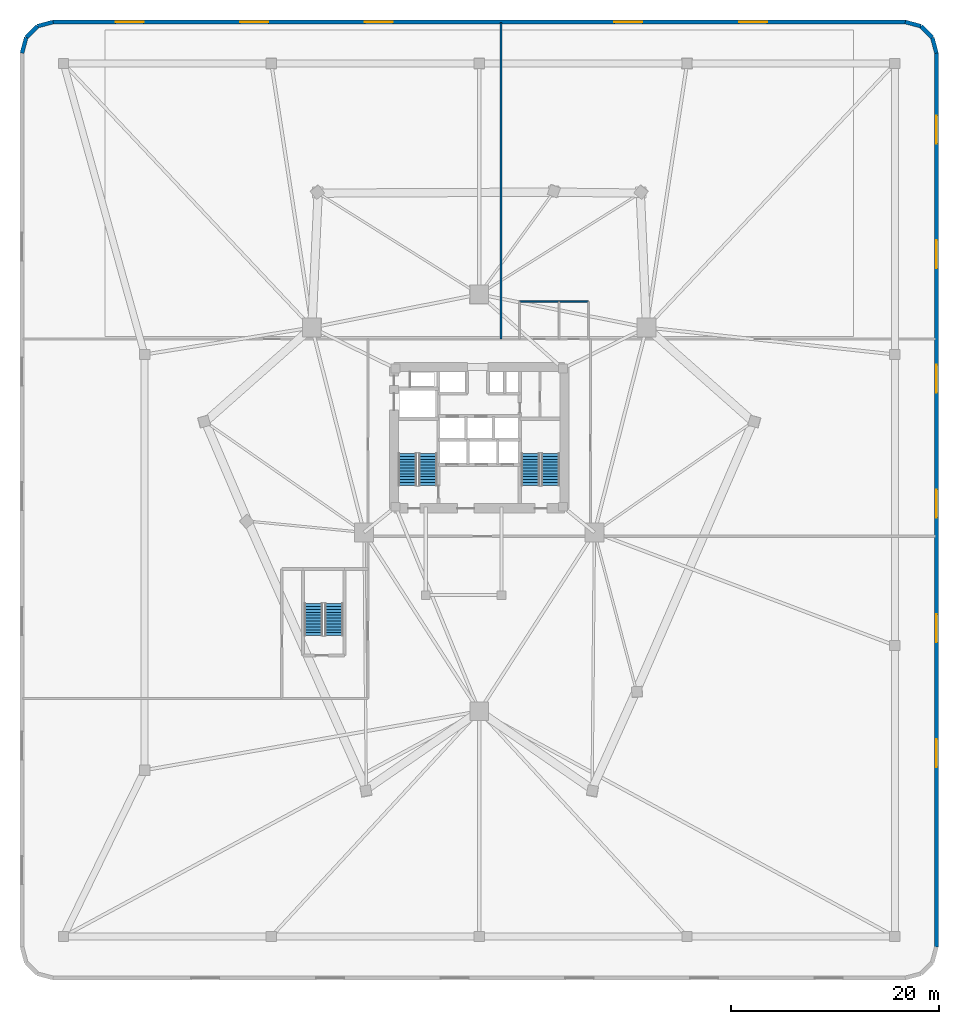
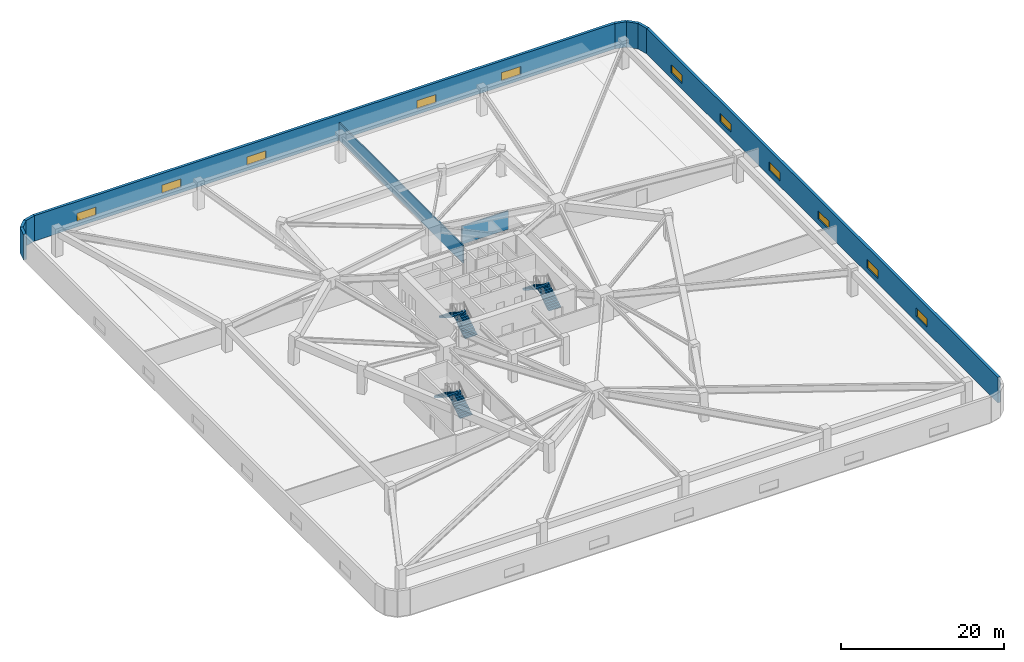
# One storey, part 8 of 10: 11 windows, 10 walls, 6 stair flights, 11 openings, 3 elements without a shape of their own.
"""IFC4 building model written with IfcOpenShell, lengths in metres."""

from ifc_helpers import new_model, si_unit, direction, frame, frame_2d, origin, place, context, subcontext, project, spatial, polyline, rectangle, outline, extrude, material, layer, layer_set, type_object, element, fill, aggregate, save


model = new_model("IFC4")

# Units and contexts
model_context = context("Model", 3, precision=1e-05, world=origin(), true_north=direction((0.0, 1.0)))
body_context = subcontext(model_context, "Body", "Model", "MODEL_VIEW")
ifc_project = project(units=[si_unit("LENGTHUNIT", "METRE"), si_unit("AREAUNIT", "SQUARE_METRE"), si_unit("VOLUMEUNIT", "CUBIC_METRE"), si_unit("PLANEANGLEUNIT", "RADIAN"), si_unit("MASSUNIT", "GRAM", prefix="KILO")], contexts=[model_context])

# Site, building, storey
site_placement = place(None, origin())
site = spatial("IfcSite", under=ifc_project, at=site_placement, CompositionType="ELEMENT")
building_placement = place(site_placement, origin())
building = spatial("IfcBuilding", under=site, at=building_placement, Name="Talyreon Biosciences Tower", CompositionType="ELEMENT")
storey_placement = place(building_placement, frame((0.0, 0.0, 18.60009765625)))
storey = spatial("IfcBuildingStorey", under=building, at=storey_placement, Name="L04", CompositionType="ELEMENT", Elevation=18.60009765625)

# Walls
ifc_material_1 = material(Name="Gypsum acoustic stud partition", Category="gypsum")
ifc_layer_1 = layer(ifc_material_1, 0.159912109375)
ifc_layer_set_1 = layer_set([ifc_layer_1], Name="Gypsum acoustic stud partition")
wall_type_1 = type_object("IfcWallType", Name="LabSeparationPartition_160", PredefinedType="PARTITIONING", material=ifc_layer_set_1)
wall_1_placement = place(storey_placement, frame((68.10009765625, 77.5, 0.0), z_axis=(0.0, 0.0, 1.0), x_axis=(0.0, 1.0, 0.0)))
element("IfcWall", 1, at=wall_1_placement, inside=storey, type_object=wall_type_1, Name="L04 Interior Wall IW-L04-NDIV", PredefinedType="PARTITIONING", context=body_context, shape_type="SweptSolid", body=[
    extrude(rectangle(XDim=30.4150390625, YDim=0.159912109375, at=frame_2d((15.20751953125, 0.0))), origin(), (0.0, 0.0, 1.0), 2.6298828125),
])
ifc_material_2 = material(Name="Precast concrete C45/55", Category="concrete")
ifc_layer_2 = layer(ifc_material_2, 0.3798828125)
ifc_layer_set_2 = layer_set([ifc_layer_2], Name="Precast concrete C45/55")
wall_type_2 = type_object("IfcWallType", Name="PrecastConcretePodiumWall_380", PredefinedType="STANDARD", material=ifc_layer_set_2)
for number, where, z_axis, x_axis, name in (
    (2, (22.0, 105.0, 0.0), (0.0, 0.0, 1.0), (0.258777996848, 0.965936824201, 0.0), "L04 Podium Concrete Frame Wall 06"),
    (3, (22.40185546875, 106.5, 0.0), (0.0, 0.0, 1.0), (0.707106781187, 0.707106781187, 0.0), "L04 Podium Concrete Frame Wall 07"),
    (4, (23.5, 107.59814453125, 0.0), (0.0, 0.0, 1.0), (0.965936824201, 0.258777996848, 0.0), "L04 Podium Concrete Frame Wall 08"),
):
    element("IfcWall", number, at=place(storey_placement, frame(where, z_axis=z_axis, x_axis=x_axis)), inside=storey, type_object=wall_type_2, Name=name, PredefinedType="STANDARD", context=body_context, shape_type="SweptSolid", body=[
        extrude(rectangle(XDim=1.552978515625, YDim=0.3798828125, at=frame_2d((0.7763671875, 0.0))), origin(), (0.0, 0.0, 1.0), 3.7998046875),
    ])

# Wall, openings, windows
wall_2_placement = place(storey_placement, frame((25.0, 108.0, 0.0), z_axis=(0.0, 0.0, 1.0), x_axis=(1.0, 0.0, 0.0)))
wall_2 = element("IfcWall", 5, at=wall_2_placement, inside=storey, type_object=wall_type_2, Name="L04 Podium Concrete Frame Wall 09", PredefinedType="STANDARD", context=body_context, shape_type="SweptSolid", body=[
    extrude(rectangle(XDim=82.0, YDim=0.3798828125, at=frame_2d((41.0, 0.0))), origin(), (0.0, 0.0, 1.0), 3.7998046875),
])
opening_1_placement = place(wall_2_placement, frame((6.0, 0.0, 0.800048828125)))
opening_1 = element("IfcOpeningElement", 6, at=opening_1_placement, cuts=wall_2, Name="Opening W05", PredefinedType="OPENING", context=body_context, shape_type="SweptSolid", body=[
    extrude(rectangle(XDim=2.699951171875, YDim=1.25, at=frame_2d((1.35009765625, 0.625))), frame((0.0, 0.199951171875, 0.0), z_axis=(0.0, -1.0, 0.0), x_axis=(1.0, 0.0, 0.0)), (0.0, 0.0, 1.0), 0.39990234375),
])
opening_2_placement = place(wall_2_placement, frame((18.0, 0.0, 0.800048828125)))
opening_2 = element("IfcOpeningElement", 7, at=opening_2_placement, cuts=wall_2, Name="Opening W05", PredefinedType="OPENING", context=body_context, shape_type="SweptSolid", body=[
    extrude(rectangle(XDim=2.699951171875, YDim=1.25, at=frame_2d((1.35009765625, 0.625))), frame((0.0, 0.199951171875, 0.0), z_axis=(0.0, -1.0, 0.0), x_axis=(1.0, 0.0, 0.0)), (0.0, 0.0, 1.0), 0.39990234375),
])
opening_3_placement = place(wall_2_placement, frame((30.0, 0.0, 0.800048828125)))
opening_3 = element("IfcOpeningElement", 8, at=opening_3_placement, cuts=wall_2, Name="Opening W05", PredefinedType="OPENING", context=body_context, shape_type="SweptSolid", body=[
    extrude(rectangle(XDim=2.699951171875, YDim=1.25, at=frame_2d((1.35009765625, 0.625))), frame((0.0, 0.199951171875, 0.0), z_axis=(0.0, -1.0, 0.0), x_axis=(1.0, 0.0, 0.0)), (0.0, 0.0, 1.0), 0.39990234375),
])
opening_4_placement = place(wall_2_placement, frame((54.0, 0.0, 0.800048828125)))
opening_4 = element("IfcOpeningElement", 9, at=opening_4_placement, cuts=wall_2, Name="Opening W05", PredefinedType="OPENING", context=body_context, shape_type="SweptSolid", body=[
    extrude(rectangle(XDim=2.699951171875, YDim=1.25, at=frame_2d((1.35009765625, 0.625))), frame((0.0, 0.199951171875, 0.0), z_axis=(0.0, -1.0, 0.0), x_axis=(1.0, 0.0, 0.0)), (0.0, 0.0, 1.0), 0.39990234375),
])
opening_5_placement = place(wall_2_placement, frame((66.0, 0.0, 0.800048828125)))
opening_5 = element("IfcOpeningElement", 10, at=opening_5_placement, cuts=wall_2, Name="Opening W05", PredefinedType="OPENING", context=body_context, shape_type="SweptSolid", body=[
    extrude(rectangle(XDim=2.699951171875, YDim=1.25, at=frame_2d((1.35009765625, 0.625))), frame((0.0, 0.199951171875, 0.0), z_axis=(0.0, -1.0, 0.0), x_axis=(1.0, 0.0, 0.0)), (0.0, 0.0, 1.0), 0.39990234375),
])
ifc_material_3 = material(Name="Thermally broken triple low-E aluminium window", Category="aluminium")
window_type = type_object("IfcWindowType", Name="TeachingLabWindow_2700x1250", PartitioningType="TRIPLE_PANEL_VERTICAL", PredefinedType="WINDOW", material=ifc_material_3)
window_1_placement = place(opening_1_placement, origin())
window_1 = element("IfcWindow", 11, at=window_1_placement, inside=storey, type_object=window_type, Name="L04 Podium Facade Window 09.01", OverallHeight=1.25, OverallWidth=2.699951171875, PartitioningType="SINGLE_PANEL", PredefinedType="WINDOW", context=body_context, shape_type="SweptSolid", body=[
    extrude(rectangle(XDim=2.699951171875, YDim=1.25, at=frame_2d((1.35009765625, 0.625))), frame((0.0, 0.030029296875, 0.0), z_axis=(0.0, -1.0, 0.0), x_axis=(1.0, 0.0, 0.0)), (0.0, 0.0, 1.0), 0.06005859375),
])
fill(opening_1, window_1)
window_2_placement = place(opening_2_placement, origin())
window_2 = element("IfcWindow", 12, at=window_2_placement, inside=storey, type_object=window_type, Name="L04 Podium Facade Window 09.02", OverallHeight=1.25, OverallWidth=2.699951171875, PartitioningType="SINGLE_PANEL", PredefinedType="WINDOW", context=body_context, shape_type="SweptSolid", body=[
    extrude(rectangle(XDim=2.699951171875, YDim=1.25, at=frame_2d((1.35009765625, 0.625))), frame((0.0, 0.030029296875, 0.0), z_axis=(0.0, -1.0, 0.0), x_axis=(1.0, 0.0, 0.0)), (0.0, 0.0, 1.0), 0.06005859375),
])
fill(opening_2, window_2)
window_3_placement = place(opening_3_placement, origin())
window_3 = element("IfcWindow", 13, at=window_3_placement, inside=storey, type_object=window_type, Name="L04 Podium Facade Window 09.03", OverallHeight=1.25, OverallWidth=2.699951171875, PartitioningType="SINGLE_PANEL", PredefinedType="WINDOW", context=body_context, shape_type="SweptSolid", body=[
    extrude(rectangle(XDim=2.699951171875, YDim=1.25, at=frame_2d((1.35009765625, 0.625))), frame((0.0, 0.030029296875, 0.0), z_axis=(0.0, -1.0, 0.0), x_axis=(1.0, 0.0, 0.0)), (0.0, 0.0, 1.0), 0.06005859375),
])
fill(opening_3, window_3)
window_4_placement = place(opening_4_placement, origin())
window_4 = element("IfcWindow", 14, at=window_4_placement, inside=storey, type_object=window_type, Name="L04 Podium Facade Window 09.05", OverallHeight=1.25, OverallWidth=2.699951171875, PartitioningType="SINGLE_PANEL", PredefinedType="WINDOW", context=body_context, shape_type="SweptSolid", body=[
    extrude(rectangle(XDim=2.699951171875, YDim=1.25, at=frame_2d((1.35009765625, 0.625))), frame((0.0, 0.030029296875, 0.0), z_axis=(0.0, -1.0, 0.0), x_axis=(1.0, 0.0, 0.0)), (0.0, 0.0, 1.0), 0.06005859375),
])
fill(opening_4, window_4)
window_5_placement = place(opening_5_placement, origin())
window_5 = element("IfcWindow", 15, at=window_5_placement, inside=storey, type_object=window_type, Name="L04 Podium Facade Window 09.06", OverallHeight=1.25, OverallWidth=2.699951171875, PartitioningType="SINGLE_PANEL", PredefinedType="WINDOW", context=body_context, shape_type="SweptSolid", body=[
    extrude(rectangle(XDim=2.699951171875, YDim=1.25, at=frame_2d((1.35009765625, 0.625))), frame((0.0, 0.030029296875, 0.0), z_axis=(0.0, -1.0, 0.0), x_axis=(1.0, 0.0, 0.0)), (0.0, 0.0, 1.0), 0.06005859375),
])
fill(opening_5, window_5)

# Walls
for number, where, z_axis, x_axis, name in (
    (16, (107.0, 108.0, 0.0), (0.0, 0.0, 1.0), (0.965936824201, -0.258777996848, 0.0), "L04 Podium Concrete Frame Wall 10"),
    (17, (108.5, 107.59814453125, 0.0), (0.0, 0.0, 1.0), (0.707106781187, -0.707106781187, 0.0), "L04 Podium Concrete Frame Wall 11"),
    (18, (109.59814453125, 106.5, 0.0), (0.0, 0.0, 1.0), (0.258777996848, -0.965936824201, 0.0), "L04 Podium Concrete Frame Wall 12"),
):
    element("IfcWall", number, at=place(storey_placement, frame(where, z_axis=z_axis, x_axis=x_axis)), inside=storey, type_object=wall_type_2, Name=name, PredefinedType="STANDARD", context=body_context, shape_type="SweptSolid", body=[
        extrude(rectangle(XDim=1.552978515625, YDim=0.3798828125, at=frame_2d((0.7763671875, 0.0))), origin(), (0.0, 0.0, 1.0), 3.7998046875),
    ])

# Wall, openings, windows
wall_3_placement = place(storey_placement, frame((110.0, 105.0, 0.0), z_axis=(0.0, 0.0, 1.0), x_axis=(0.0, -1.0, 0.0)))
wall_3 = element("IfcWall", 19, at=wall_3_placement, inside=storey, type_object=wall_type_2, Name="L04 Podium Concrete Frame Wall 13", PredefinedType="STANDARD", context=body_context, shape_type="SweptSolid", body=[
    extrude(rectangle(XDim=86.0, YDim=0.3798828125, at=frame_2d((43.0, 0.0))), origin(), (0.0, 0.0, 1.0), 3.7998046875),
])
opening_6_placement = place(wall_3_placement, frame((6.0, 0.0, 0.800048828125)))
opening_6 = element("IfcOpeningElement", 20, at=opening_6_placement, cuts=wall_3, Name="Opening W05", PredefinedType="OPENING", context=body_context, shape_type="SweptSolid", body=[
    extrude(rectangle(XDim=2.699951171875, YDim=1.25, at=frame_2d((1.35009765625, 0.625))), frame((0.0, 0.199951171875, 0.0), z_axis=(0.0, -1.0, 0.0), x_axis=(1.0, 0.0, 0.0)), (0.0, 0.0, 1.0), 0.39990234375),
])
opening_7_placement = place(wall_3_placement, frame((18.0, 0.0, 0.800048828125)))
opening_7 = element("IfcOpeningElement", 21, at=opening_7_placement, cuts=wall_3, Name="Opening W05", PredefinedType="OPENING", context=body_context, shape_type="SweptSolid", body=[
    extrude(rectangle(XDim=2.699951171875, YDim=1.25, at=frame_2d((1.35009765625, 0.625))), frame((0.0, 0.199951171875, 0.0), z_axis=(0.0, -1.0, 0.0), x_axis=(1.0, 0.0, 0.0)), (0.0, 0.0, 1.0), 0.39990234375),
])
opening_8_placement = place(wall_3_placement, frame((30.0, 0.0, 0.800048828125)))
opening_8 = element("IfcOpeningElement", 22, at=opening_8_placement, cuts=wall_3, Name="Opening W05", PredefinedType="OPENING", context=body_context, shape_type="SweptSolid", body=[
    extrude(rectangle(XDim=2.699951171875, YDim=1.25, at=frame_2d((1.35009765625, 0.625))), frame((0.0, 0.199951171875, 0.0), z_axis=(0.0, -1.0, 0.0), x_axis=(1.0, 0.0, 0.0)), (0.0, 0.0, 1.0), 0.39990234375),
])
opening_9_placement = place(wall_3_placement, frame((42.0, 0.0, 0.800048828125)))
opening_9 = element("IfcOpeningElement", 23, at=opening_9_placement, cuts=wall_3, Name="Opening W05", PredefinedType="OPENING", context=body_context, shape_type="SweptSolid", body=[
    extrude(rectangle(XDim=2.699951171875, YDim=1.25, at=frame_2d((1.35009765625, 0.625))), frame((0.0, 0.199951171875, 0.0), z_axis=(0.0, -1.0, 0.0), x_axis=(1.0, 0.0, 0.0)), (0.0, 0.0, 1.0), 0.39990234375),
])
opening_10_placement = place(wall_3_placement, frame((54.0, 0.0, 0.800048828125)))
opening_10 = element("IfcOpeningElement", 24, at=opening_10_placement, cuts=wall_3, Name="Opening W05", PredefinedType="OPENING", context=body_context, shape_type="SweptSolid", body=[
    extrude(rectangle(XDim=2.699951171875, YDim=1.25, at=frame_2d((1.35009765625, 0.625))), frame((0.0, 0.199951171875, 0.0), z_axis=(0.0, -1.0, 0.0), x_axis=(1.0, 0.0, 0.0)), (0.0, 0.0, 1.0), 0.39990234375),
])
opening_11_placement = place(wall_3_placement, frame((66.0, 0.0, 0.800048828125)))
opening_11 = element("IfcOpeningElement", 25, at=opening_11_placement, cuts=wall_3, Name="Opening W05", PredefinedType="OPENING", context=body_context, shape_type="SweptSolid", body=[
    extrude(rectangle(XDim=2.699951171875, YDim=1.25, at=frame_2d((1.35009765625, 0.625))), frame((0.0, 0.199951171875, 0.0), z_axis=(0.0, -1.0, 0.0), x_axis=(1.0, 0.0, 0.0)), (0.0, 0.0, 1.0), 0.39990234375),
])
window_6_placement = place(opening_6_placement, origin())
window_6 = element("IfcWindow", 26, at=window_6_placement, inside=storey, type_object=window_type, Name="L04 Podium Facade Window 13.01", OverallHeight=1.25, OverallWidth=2.699951171875, PartitioningType="SINGLE_PANEL", PredefinedType="WINDOW", context=body_context, shape_type="SweptSolid", body=[
    extrude(rectangle(XDim=2.699951171875, YDim=1.25, at=frame_2d((1.35009765625, 0.625))), frame((0.0, 0.030029296875, 0.0), z_axis=(0.0, -1.0, 0.0), x_axis=(1.0, 0.0, 0.0)), (0.0, 0.0, 1.0), 0.06005859375),
])
fill(opening_6, window_6)
window_7_placement = place(opening_7_placement, origin())
window_7 = element("IfcWindow", 27, at=window_7_placement, inside=storey, type_object=window_type, Name="L04 Podium Facade Window 13.02", OverallHeight=1.25, OverallWidth=2.699951171875, PartitioningType="SINGLE_PANEL", PredefinedType="WINDOW", context=body_context, shape_type="SweptSolid", body=[
    extrude(rectangle(XDim=2.699951171875, YDim=1.25, at=frame_2d((1.35009765625, 0.625))), frame((0.0, 0.030029296875, 0.0), z_axis=(0.0, -1.0, 0.0), x_axis=(1.0, 0.0, 0.0)), (0.0, 0.0, 1.0), 0.06005859375),
])
fill(opening_7, window_7)
window_8_placement = place(opening_8_placement, origin())
window_8 = element("IfcWindow", 28, at=window_8_placement, inside=storey, type_object=window_type, Name="L04 Podium Facade Window 13.03", OverallHeight=1.25, OverallWidth=2.699951171875, PartitioningType="SINGLE_PANEL", PredefinedType="WINDOW", context=body_context, shape_type="SweptSolid", body=[
    extrude(rectangle(XDim=2.699951171875, YDim=1.25, at=frame_2d((1.35009765625, 0.625))), frame((0.0, 0.030029296875, 0.0), z_axis=(0.0, -1.0, 0.0), x_axis=(1.0, 0.0, 0.0)), (0.0, 0.0, 1.0), 0.06005859375),
])
fill(opening_8, window_8)
window_9_placement = place(opening_9_placement, origin())
window_9 = element("IfcWindow", 29, at=window_9_placement, inside=storey, type_object=window_type, Name="L04 Podium Facade Window 13.04", OverallHeight=1.25, OverallWidth=2.699951171875, PartitioningType="SINGLE_PANEL", PredefinedType="WINDOW", context=body_context, shape_type="SweptSolid", body=[
    extrude(rectangle(XDim=2.699951171875, YDim=1.25, at=frame_2d((1.35009765625, 0.625))), frame((0.0, 0.030029296875, 0.0), z_axis=(0.0, -1.0, 0.0), x_axis=(1.0, 0.0, 0.0)), (0.0, 0.0, 1.0), 0.06005859375),
])
fill(opening_9, window_9)
window_10_placement = place(opening_10_placement, origin())
window_10 = element("IfcWindow", 30, at=window_10_placement, inside=storey, type_object=window_type, Name="L04 Podium Facade Window 13.05", OverallHeight=1.25, OverallWidth=2.699951171875, PartitioningType="SINGLE_PANEL", PredefinedType="WINDOW", context=body_context, shape_type="SweptSolid", body=[
    extrude(rectangle(XDim=2.699951171875, YDim=1.25, at=frame_2d((1.35009765625, 0.625))), frame((0.0, 0.030029296875, 0.0), z_axis=(0.0, -1.0, 0.0), x_axis=(1.0, 0.0, 0.0)), (0.0, 0.0, 1.0), 0.06005859375),
])
fill(opening_10, window_10)
window_11_placement = place(opening_11_placement, origin())
window_11 = element("IfcWindow", 31, at=window_11_placement, inside=storey, type_object=window_type, Name="L04 Podium Facade Window 13.06", OverallHeight=1.25, OverallWidth=2.699951171875, PartitioningType="SINGLE_PANEL", PredefinedType="WINDOW", context=body_context, shape_type="SweptSolid", body=[
    extrude(rectangle(XDim=2.699951171875, YDim=1.25, at=frame_2d((1.35009765625, 0.625))), frame((0.0, 0.030029296875, 0.0), z_axis=(0.0, -1.0, 0.0), x_axis=(1.0, 0.0, 0.0)), (0.0, 0.0, 1.0), 0.06005859375),
])
fill(opening_11, window_11)

# Wall
ifc_material_4 = material(Name="Moisture-resistant cement-board stud", Category="gypsum")
ifc_layer_3 = layer(ifc_material_4, 0.14501953125)
ifc_layer_set_3 = layer_set([ifc_layer_3], Name="Moisture-resistant cement-board stud")
wall_type_3 = type_object("IfcWallType", Name="WetRoomPartition_145", PredefinedType="PARTITIONING", material=ifc_layer_set_3)
wall_4_placement = place(storey_placement, frame((69.89990234375, 81.10009765625, 0.0), z_axis=(0.0, 0.0, 1.0), x_axis=(1.0, 0.0, 0.0)))
element("IfcWall", 32, at=wall_4_placement, inside=storey, type_object=wall_type_3, Name="L04 Interior Wall IW-L04-WCT", PredefinedType="PARTITIONING", context=body_context, shape_type="SweptSolid", body=[
    extrude(rectangle(XDim=6.60009765625, YDim=0.14501953125, at=frame_2d((3.300048828125, 0.0))), origin(), (0.0, 0.0, 1.0), 2.77197265625),
])

# Stair, stair flights
ifc_material_5 = material(Name="Concrete C40/50", Category="concrete")
stair_type = type_object("IfcStairType", Name="DoglegEscapeStair_4200", PredefinedType="HALF_TURN_STAIR", material=ifc_material_5)
stair_1_placement = place(storey_placement, origin())
stair_1 = element("IfcStair", 33, at=stair_1_placement, inside=storey, type_object=stair_type, Name="L04 Core Escape Stair 1", PredefinedType="HALF_TURN_STAIR")
stair_flight_type = type_object("IfcStairFlightType", Name="PrecastStairFlight_4200", PredefinedType="STRAIGHT", material=ifc_material_5)
stair_flight_1_placement = place(storey_placement, frame((61.06005859375, 63.39990234375, 0.0), z_axis=(0.0, 0.0, 1.0), x_axis=(0.0, 1.0, 0.0)))
stair_flight_1 = element("IfcStairFlight", 34, at=stair_flight_1_placement, type_object=stair_flight_type, Name="ST-1 flight 1", NumberOfRisers=12, NumberOfTreads=11, PredefinedType="STRAIGHT", RiserHeight=0.175, TreadLength=0.28, context=body_context, shape_type="SweptSolid", body=[
    extrude(outline(polyline([(0.0, 0.0), (0.0, 0.175048828125), (0.280029296875, 0.175048828125), (0.280029296875, 0.35009765625), (0.56005859375, 0.35009765625), (0.56005859375, 0.52490234375), (0.840087890625, 0.52490234375), (0.840087890625, 0.699951171875), (1.1201171875, 0.699951171875), (1.1201171875, 0.875), (1.39990234375, 0.875), (1.39990234375, 1.050048828125), (1.679931640625, 1.050048828125), (1.679931640625, 1.22509765625), (1.9599609375, 1.22509765625), (1.9599609375, 1.39990234375), (2.239990234375, 1.39990234375), (2.239990234375, 1.574951171875), (2.52001953125, 1.574951171875), (2.52001953125, 1.75), (2.800048828125, 1.75), (2.800048828125, 1.925048828125), (3.080078125, 1.925048828125), (3.080078125, 2.10009765625), (3.080078125, 1.748291015625), (0.28271484375, 0.0), (0.0, 0.0)])), frame((0.0, 0.8701171875, 0.0), z_axis=(0.0, -1.0, 0.0), x_axis=(1.0, 0.0, 0.0)), (0.0, 0.0, 1.0), 1.739990234375),
])
stair_flight_2_placement = place(storey_placement, frame((59.1201171875, 66.47998046875, 2.099853515625), z_axis=(0.0, 0.0, 1.0), x_axis=(0.0, -1.0, 0.0)))
stair_flight_2 = element("IfcStairFlight", 35, at=stair_flight_2_placement, type_object=stair_flight_type, Name="ST-1 flight 2", NumberOfRisers=12, NumberOfTreads=11, PredefinedType="STRAIGHT", RiserHeight=0.175, TreadLength=0.28, context=body_context, shape_type="SweptSolid", body=[
    extrude(outline(polyline([(0.0, 0.0), (0.0, 0.175048828125), (0.280029296875, 0.175048828125), (0.280029296875, 0.35009765625), (0.56005859375, 0.35009765625), (0.56005859375, 0.52490234375), (0.840087890625, 0.52490234375), (0.840087890625, 0.699951171875), (1.1201171875, 0.699951171875), (1.1201171875, 0.875), (1.39990234375, 0.875), (1.39990234375, 1.050048828125), (1.679931640625, 1.050048828125), (1.679931640625, 1.22509765625), (1.9599609375, 1.22509765625), (1.9599609375, 1.39990234375), (2.239990234375, 1.39990234375), (2.239990234375, 1.574951171875), (2.52001953125, 1.574951171875), (2.52001953125, 1.75), (2.800048828125, 1.75), (2.800048828125, 1.925048828125), (3.080078125, 1.925048828125), (3.080078125, 2.10009765625), (3.080078125, 1.748291015625), (0.28271484375, 0.0), (0.0, 0.0)])), frame((0.0, 0.8701171875, 0.0), z_axis=(0.0, -1.0, 0.0), x_axis=(1.0, 0.0, 0.0)), (0.0, 0.0, 1.0), 1.739990234375),
])
aggregate(stair_1, [stair_flight_1, stair_flight_2])

stair_2_placement = place(storey_placement, origin())
stair_2 = element("IfcStair", 36, at=stair_2_placement, inside=storey, type_object=stair_type, Name="L04 Core Escape Stair 2", PredefinedType="HALF_TURN_STAIR")
stair_flight_3_placement = place(storey_placement, frame((72.8798828125, 63.39990234375, 0.0), z_axis=(0.0, 0.0, 1.0), x_axis=(0.0, 1.0, 0.0)))
stair_flight_3 = element("IfcStairFlight", 37, at=stair_flight_3_placement, type_object=stair_flight_type, Name="ST-2 flight 1", NumberOfRisers=12, NumberOfTreads=11, PredefinedType="STRAIGHT", RiserHeight=0.175, TreadLength=0.28, context=body_context, shape_type="SweptSolid", body=[
    extrude(outline(polyline([(0.0, 0.0), (0.0, 0.175048828125), (0.280029296875, 0.175048828125), (0.280029296875, 0.35009765625), (0.56005859375, 0.35009765625), (0.56005859375, 0.52490234375), (0.840087890625, 0.52490234375), (0.840087890625, 0.699951171875), (1.1201171875, 0.699951171875), (1.1201171875, 0.875), (1.39990234375, 0.875), (1.39990234375, 1.050048828125), (1.679931640625, 1.050048828125), (1.679931640625, 1.22509765625), (1.9599609375, 1.22509765625), (1.9599609375, 1.39990234375), (2.239990234375, 1.39990234375), (2.239990234375, 1.574951171875), (2.52001953125, 1.574951171875), (2.52001953125, 1.75), (2.800048828125, 1.75), (2.800048828125, 1.925048828125), (3.080078125, 1.925048828125), (3.080078125, 2.10009765625), (3.080078125, 1.748291015625), (0.28271484375, 0.0), (0.0, 0.0)])), frame((0.0, 0.8701171875, 0.0), z_axis=(0.0, -1.0, 0.0), x_axis=(1.0, 0.0, 0.0)), (0.0, 0.0, 1.0), 1.739990234375),
])
stair_flight_4_placement = place(storey_placement, frame((70.93994140625, 66.47998046875, 2.099853515625), z_axis=(0.0, 0.0, 1.0), x_axis=(0.0, -1.0, 0.0)))
stair_flight_4 = element("IfcStairFlight", 38, at=stair_flight_4_placement, type_object=stair_flight_type, Name="ST-2 flight 2", NumberOfRisers=12, NumberOfTreads=11, PredefinedType="STRAIGHT", RiserHeight=0.175, TreadLength=0.28, context=body_context, shape_type="SweptSolid", body=[
    extrude(outline(polyline([(0.0, 0.0), (0.0, 0.175048828125), (0.280029296875, 0.175048828125), (0.280029296875, 0.35009765625), (0.56005859375, 0.35009765625), (0.56005859375, 0.52490234375), (0.840087890625, 0.52490234375), (0.840087890625, 0.699951171875), (1.1201171875, 0.699951171875), (1.1201171875, 0.875), (1.39990234375, 0.875), (1.39990234375, 1.050048828125), (1.679931640625, 1.050048828125), (1.679931640625, 1.22509765625), (1.9599609375, 1.22509765625), (1.9599609375, 1.39990234375), (2.239990234375, 1.39990234375), (2.239990234375, 1.574951171875), (2.52001953125, 1.574951171875), (2.52001953125, 1.75), (2.800048828125, 1.75), (2.800048828125, 1.925048828125), (3.080078125, 1.925048828125), (3.080078125, 2.10009765625), (3.080078125, 1.748291015625), (0.28271484375, 0.0), (0.0, 0.0)])), frame((0.0, 0.8701171875, 0.0), z_axis=(0.0, -1.0, 0.0), x_axis=(1.0, 0.0, 0.0)), (0.0, 0.0, 1.0), 1.739990234375),
])
aggregate(stair_2, [stair_flight_3, stair_flight_4])

stair_3_placement = place(storey_placement, origin())
stair_3 = element("IfcStair", 39, at=stair_3_placement, inside=storey, type_object=stair_type, Name="L04 Podium Escape Stair 3", PredefinedType="HALF_TURN_STAIR")
stair_flight_5_placement = place(storey_placement, frame((52.010009765625, 48.949951171875, 0.0), z_axis=(0.0, 0.0, 1.0), x_axis=(0.0, 1.0, 0.0)))
stair_flight_5 = element("IfcStairFlight", 40, at=stair_flight_5_placement, type_object=stair_flight_type, Name="ST-3 flight 1", NumberOfRisers=12, NumberOfTreads=11, PredefinedType="STRAIGHT", RiserHeight=0.175, TreadLength=0.28, context=body_context, shape_type="SweptSolid", body=[
    extrude(outline(polyline([(0.0, 0.0), (0.0, 0.175048828125), (0.280029296875, 0.175048828125), (0.280029296875, 0.35009765625), (0.56005859375, 0.35009765625), (0.56005859375, 0.52490234375), (0.840087890625, 0.52490234375), (0.840087890625, 0.699951171875), (1.1201171875, 0.699951171875), (1.1201171875, 0.875), (1.39990234375, 0.875), (1.39990234375, 1.050048828125), (1.679931640625, 1.050048828125), (1.679931640625, 1.22509765625), (1.9599609375, 1.22509765625), (1.9599609375, 1.39990234375), (2.239990234375, 1.39990234375), (2.239990234375, 1.574951171875), (2.52001953125, 1.574951171875), (2.52001953125, 1.75), (2.800048828125, 1.75), (2.800048828125, 1.925048828125), (3.080078125, 1.925048828125), (3.080078125, 2.10009765625), (3.080078125, 1.748291015625), (0.28271484375, 0.0), (0.0, 0.0)])), frame((0.0, 0.8701171875, 0.0), z_axis=(0.0, -1.0, 0.0), x_axis=(1.0, 0.0, 0.0)), (0.0, 0.0, 1.0), 1.739990234375),
])
stair_flight_6_placement = place(storey_placement, frame((50.070068359375, 52.030029296875, 2.099853515625), z_axis=(0.0, 0.0, 1.0), x_axis=(0.0, -1.0, 0.0)))
stair_flight_6 = element("IfcStairFlight", 41, at=stair_flight_6_placement, type_object=stair_flight_type, Name="ST-3 flight 2", NumberOfRisers=12, NumberOfTreads=11, PredefinedType="STRAIGHT", RiserHeight=0.175, TreadLength=0.28, context=body_context, shape_type="SweptSolid", body=[
    extrude(outline(polyline([(0.0, 0.0), (0.0, 0.175048828125), (0.280029296875, 0.175048828125), (0.280029296875, 0.35009765625), (0.56005859375, 0.35009765625), (0.56005859375, 0.52490234375), (0.840087890625, 0.52490234375), (0.840087890625, 0.699951171875), (1.1201171875, 0.699951171875), (1.1201171875, 0.875), (1.39990234375, 0.875), (1.39990234375, 1.050048828125), (1.679931640625, 1.050048828125), (1.679931640625, 1.22509765625), (1.9599609375, 1.22509765625), (1.9599609375, 1.39990234375), (2.239990234375, 1.39990234375), (2.239990234375, 1.574951171875), (2.52001953125, 1.574951171875), (2.52001953125, 1.75), (2.800048828125, 1.75), (2.800048828125, 1.925048828125), (3.080078125, 1.925048828125), (3.080078125, 2.10009765625), (3.080078125, 1.748291015625), (0.28271484375, 0.0), (0.0, 0.0)])), frame((0.0, 0.8701171875, 0.0), z_axis=(0.0, -1.0, 0.0), x_axis=(1.0, 0.0, 0.0)), (0.0, 0.0, 1.0), 1.739990234375),
])
aggregate(stair_3, [stair_flight_5, stair_flight_6])

save(model, "model.ifc")
